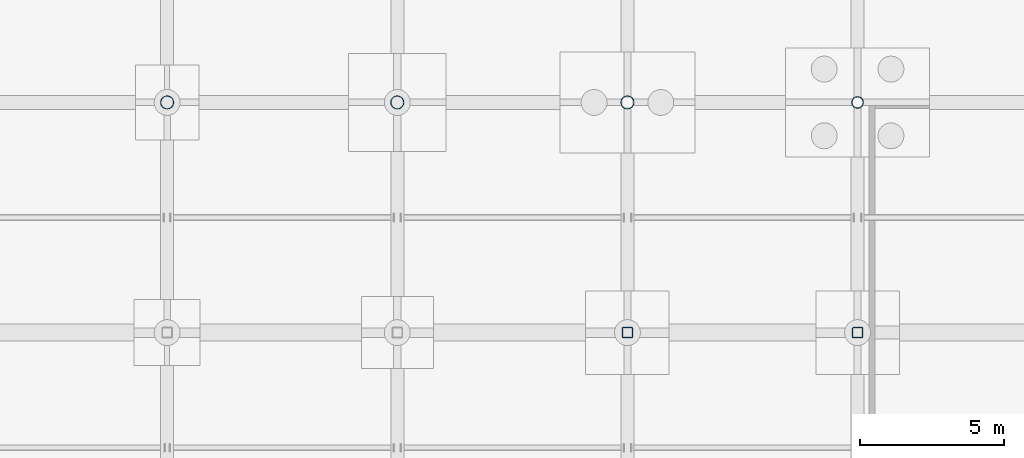
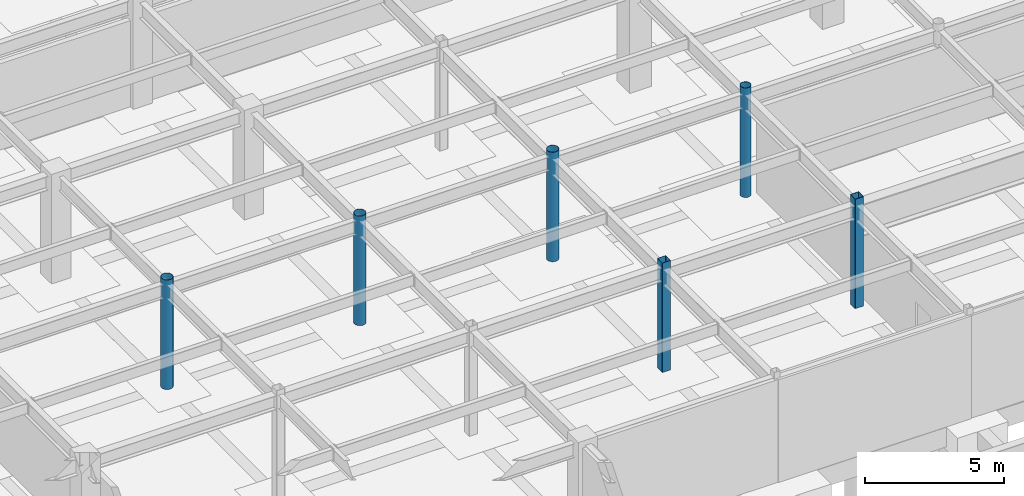
# One storey, part 32 of 105: 6 columns.
"""IFC4 building model written with IfcOpenShell, lengths in metres."""

import ifcopenshell
import ifcopenshell.guid

model = None  # the IFC model being written
_history = None  # IfcOwnerHistory: only IFC2X3 demands one
_inside = {}  # id of a spatial element -> (the spatial element, [elements in it])
_under = {}  # id of a project, library or spatial element -> (it, [spatial elements below it])
_declared = {}  # id of a project -> (the project, [libraries it declares])
_typed = {}  # id of a type object -> (the type object, [elements of that type])
_made_of = {}  # id of a material, layer set ... -> (it, [elements and type objects made of it])


def new_model(schema):
    """Start an empty IFC model of exactly this schema.

    Asked for "IFC4X3", IfcOpenShell would pick the latest addendum, in which some entities
    have other attributes; the version numbers below select the first issue.
    IFC2X3 requires an IfcOwnerHistory on every rooted entity: one is made here for all.
    """
    global model, _history
    if schema == "IFC4X3":
        model = ifcopenshell.file(schema_version=(4, 3, 0, 0))
    else:
        model = ifcopenshell.file(schema=schema)
    _inside.clear()
    _under.clear()
    _declared.clear()
    _typed.clear()
    _made_of.clear()
    _history = None
    if model.schema == "IFC2X3":
        org = make("IfcOrganization", Name="unknown")
        user = make(
            "IfcPersonAndOrganization",
            ThePerson=make("IfcPerson", FamilyName="unknown"),
            TheOrganization=org,
        )
        app = make(
            "IfcApplication",
            ApplicationDeveloper=org,
            Version="unknown",
            ApplicationFullName="unknown",
            ApplicationIdentifier="unknown",
        )
        _history = make(
            "IfcOwnerHistory",
            OwningUser=user,
            OwningApplication=app,
            ChangeAction="ADDED",
            CreationDate=0,
        )
    return model


def make(cls, **values):
    """One entity of the class cls with the attributes given. An attribute that is None is left unset."""
    return model.create_entity(
        cls, **{name: value for name, value in values.items() if value is not None}
    )


def rooted(cls, **values):
    """An entity with a GlobalId (a new one), such as an element, a storey or a relation."""
    return make(cls, GlobalId=ifcopenshell.guid.new(), OwnerHistory=_history, **values)


def si_unit(unit_type, name, prefix=None):
    """IfcSIUnit, for example si_unit("LENGTHUNIT", "METRE", prefix="MILLI")."""
    return make("IfcSIUnit", UnitType=unit_type, Prefix=prefix, Name=name)


def assignment(units):
    """IfcUnitAssignment: the units of a project."""
    return None if units is None else make("IfcUnitAssignment", Units=units)


def point(xyz):
    """IfcCartesianPoint."""
    return None if xyz is None else make("IfcCartesianPoint", Coordinates=xyz)


def direction(xyz):
    """IfcDirection."""
    return None if xyz is None else make("IfcDirection", DirectionRatios=xyz)


def frame(location, z_axis=None, x_axis=None):
    """IfcAxis2Placement3D, a coordinate frame: its origin and axes. An axis left out is left unset."""
    return make(
        "IfcAxis2Placement3D",
        Location=point(location),
        Axis=direction(z_axis),
        RefDirection=direction(x_axis),
    )


def frame_2d(location, x_axis=None):
    """IfcAxis2Placement2D, a coordinate frame in the plane: its origin and x axis."""
    return make(
        "IfcAxis2Placement2D", Location=point(location), RefDirection=direction(x_axis)
    )


def origin():
    """The frame at (0, 0, 0) with its axes left unset."""
    return frame((0.0, 0.0, 0.0))


def origin_2d():
    """The frame at (0, 0) in the plane with its x axis left unset."""
    return frame_2d((0.0, 0.0))


def place(relative_to, where):
    """IfcLocalPlacement: puts the frame where relative to a parent placement (None: the world)."""
    return make(
        "IfcLocalPlacement", PlacementRelTo=relative_to, RelativePlacement=where
    )


def context(
    kind, dimensions, precision=None, world=None, true_north=None, identifier=None
):
    """IfcGeometricRepresentationContext, for example the 3D "Model" context."""
    return make(
        "IfcGeometricRepresentationContext",
        ContextIdentifier=identifier,
        ContextType=kind,
        CoordinateSpaceDimension=dimensions,
        Precision=precision,
        WorldCoordinateSystem=world,
        TrueNorth=true_north,
    )


def subcontext(parent, identifier, kind, view, scale=None):
    """IfcGeometricRepresentationSubContext, for example "Body" below "Model"."""
    return make(
        "IfcGeometricRepresentationSubContext",
        ContextIdentifier=identifier,
        ContextType=kind,
        ParentContext=parent,
        TargetScale=scale,
        TargetView=view,
    )


def project(units=None, contexts=None):
    """IfcProject with its units and contexts."""
    return rooted(
        "IfcProject",
        Name="project",
        RepresentationContexts=contexts,
        UnitsInContext=assignment(units),
    )


def spatial(cls, under=None, at=None, **own):
    """A site, building, storey or space (cls), placed at a placement, below another one or the project."""
    s = rooted(cls, ObjectPlacement=at, **own)
    if under is not None:
        _under.setdefault(under.id(), (under, []))[1].append(s)
    return s


def profile(cls, at=None, kind="AREA", **sizes):
    """A parametric profile (cls). Its sizes go by their IFC names, for example OverallWidth=200.0."""
    return make(cls, ProfileType=kind, Position=at, **sizes)


def hollow_rectangle(**sizes):
    """IfcRectangleHollowProfileDef."""
    return profile("IfcRectangleHollowProfileDef", **sizes)


def hollow_circle(**sizes):
    """IfcCircleHollowProfileDef."""
    return profile("IfcCircleHollowProfileDef", **sizes)


def extrude(swept, where, along, depth):
    """IfcExtrudedAreaSolid: the profile swept, set in the frame where, extruded along a direction by depth."""
    return make(
        "IfcExtrudedAreaSolid",
        SweptArea=swept,
        Position=where,
        ExtrudedDirection=direction(along),
        Depth=depth,
    )


def shape(context_of_items, identifier, shape_type, items):
    """IfcShapeRepresentation: the items that make up one representation, for example the "Body"."""
    return make(
        "IfcShapeRepresentation",
        ContextOfItems=context_of_items,
        RepresentationIdentifier=identifier,
        RepresentationType=shape_type,
        Items=items,
    )


def material(Name=None, Category=None):
    """IfcMaterial."""
    return make("IfcMaterial", Name=Name, Category=Category)


def material_profile(
    of_material, cross_section, Name=None, Category=None, Priority=None
):
    """IfcMaterialProfile: a cross section and its material."""
    return make(
        "IfcMaterialProfile",
        Name=Name,
        Material=of_material,
        Profile=cross_section,
        Priority=Priority,
        Category=Category,
    )


def profile_set(profiles, Name=None, composite=None):
    """IfcMaterialProfileSet."""
    return make(
        "IfcMaterialProfileSet",
        Name=Name,
        MaterialProfiles=profiles,
        CompositeProfile=composite,
    )


def made_of(thing, what):
    """Note that an element or type object is made of a material, layer set ...; save() writes the relation."""
    if what is not None:
        _made_of.setdefault(what.id(), (what, []))[1].append(thing)
    return thing


def type_object(cls, material=None, **own):
    """A type object (cls), such as IfcWallType, which elements share."""
    return made_of(rooted(cls, **own), material)


def element(
    cls,
    number,
    at=None,
    inside=None,
    cuts=None,
    type_object=None,
    material=None,
    context=None,
    identifier="Body",
    shape_type=None,
    held_by="IfcProductDefinitionShape",
    body=None,
    shapes=None,
    **own,
):
    """One element of the class cls, such as IfcWall. Its Tag is "e" and its number.

    at: its placement. inside: the storey or other place that contains it. cuts: it is an
    opening in that element (IfcRelVoidsElement). A single representation is given by context,
    identifier, shape_type and body (its items); several are given by shapes. held_by: the class
    of the entity that holds the representations. save() writes the other relations.
    """
    e = rooted(cls, Tag="e%d" % number, ObjectPlacement=at, **own)
    if body is not None:
        shapes = [shape(context, identifier, shape_type, body)]
    if shapes is not None:
        e.Representation = make(held_by, Representations=shapes)
    if inside is not None:
        _inside.setdefault(inside.id(), (inside, []))[1].append(e)
    if cuts is not None:
        rooted(
            "IfcRelVoidsElement", RelatingBuildingElement=cuts, RelatedOpeningElement=e
        )
    if type_object is not None:
        _typed.setdefault(type_object.id(), (type_object, []))[1].append(e)
    return made_of(e, material)


def aggregate(whole, parts):
    """IfcRelAggregates: a whole, such as a stair, and the parts it consists of."""
    return rooted("IfcRelAggregates", RelatingObject=whole, RelatedObjects=parts)


def save(model, path):
    """Write the relations noted so far, then the file.

    IfcRelAggregates (storeys below a building ...), IfcRelContainedInSpatialStructure (elements
    in a storey), IfcRelDefinesByType, IfcRelAssociatesMaterial and IfcRelDeclares: one each for
    every whole, place, type object, material and project.
    """
    for whole, parts in _under.values():
        aggregate(whole, parts)
    for where, things in _inside.values():
        rooted(
            "IfcRelContainedInSpatialStructure",
            RelatedElements=things,
            RelatingStructure=where,
        )
    for kind, things in _typed.values():
        rooted("IfcRelDefinesByType", RelatedObjects=things, RelatingType=kind)
    for what, things in _made_of.values():
        rooted("IfcRelAssociatesMaterial", RelatedObjects=things, RelatingMaterial=what)
    for by, libraries in _declared.values():
        rooted("IfcRelDeclares", RelatingContext=by, RelatedDefinitions=libraries)
    model.write(path)


model = new_model("IFC4")

# Units and contexts
model_context = context("Model", 3, precision=1e-05, world=origin(), true_north=direction((0.0, 1.0)))
body_context = subcontext(model_context, "Body", "Model", "MODEL_VIEW")
ifc_project = project(units=[si_unit("LENGTHUNIT", "METRE"), si_unit("AREAUNIT", "SQUARE_METRE"), si_unit("VOLUMEUNIT", "CUBIC_METRE"), si_unit("PLANEANGLEUNIT", "RADIAN"), si_unit("MASSUNIT", "GRAM", prefix="KILO")], contexts=[model_context])

# Site, building, storey
site_placement = place(None, origin())
site = spatial("IfcSite", under=ifc_project, at=site_placement, CompositionType="ELEMENT")
building_placement = place(site_placement, origin())
building = spatial("IfcBuilding", under=site, at=building_placement, Name="Solmirada Galleria", CompositionType="ELEMENT")
storey_placement = place(building_placement, frame((0.0, 0.0, -4.800048828125)))
storey = spatial("IfcBuildingStorey", under=building, at=storey_placement, Name="B1", CompositionType="ELEMENT", Elevation=-4.800048828125)

# Columns
ifc_material = material(Name="Steel S355 / ASTM A500 Grade C", Category="steel")
ifc_material_profile_1 = material_profile(ifc_material, hollow_circle(Radius=0.202880859375, WallThickness=0.01171875, at=origin_2d()), Name="HSS16.000X0.500")
ifc_profile_set_1 = profile_set([ifc_material_profile_1], Name="Steel S355 / ASTM A500 Grade C")
column_type_1 = type_object("IfcColumnType", Name="COL-CHS16", PredefinedType="COLUMN", material=ifc_profile_set_1)
column_placement = place(storey_placement, frame((128.0, 88.0, 0.0), z_axis=(0.0, 0.0, 1.0), x_axis=(1.0, 0.0, 0.0)))
element("IfcColumn", 1, at=column_placement, inside=storey, type_object=column_type_1, Name="Structural column B1-1059", PredefinedType="COLUMN", context=body_context, shape_type="SweptSolid", body=[
    extrude(hollow_circle(Radius=0.202880859375, WallThickness=0.01171875, at=origin_2d()), origin(), (0.0, 0.0, 1.0), 4.800048828125),
])
ifc_material_profile_2 = material_profile(ifc_material, hollow_circle(Radius=0.228515625, WallThickness=0.01171875, at=origin_2d()), Name="HSS18.000X0.500")
ifc_profile_set_2 = profile_set([ifc_material_profile_2], Name="Steel S355 / ASTM A500 Grade C")
column_type_2 = type_object("IfcColumnType", Name="COL-CHS18", PredefinedType="COLUMN", material=ifc_profile_set_2)
for number, where, z_axis, x_axis, name in (
    (2, (104.0, 88.0, 0.0), (0.0, 0.0, 1.0), (1.0, 0.0, 0.0), "Structural column B1-0769"),
    (3, (112.0, 88.0, 0.0), (0.0, 0.0, 1.0), (1.0, 0.0, 0.0), "Structural column B1-0885"),
    (4, (120.0, 88.0, 0.0), (0.0, 0.0, 1.0), (1.0, 0.0, 0.0), "Structural column B1-0976"),
):
    element("IfcColumn", number, at=place(storey_placement, frame(where, z_axis=z_axis, x_axis=x_axis)), inside=storey, type_object=column_type_2, Name=name, PredefinedType="COLUMN", context=body_context, shape_type="SweptSolid", body=[
        extrude(hollow_circle(Radius=0.228515625, WallThickness=0.01171875, at=origin_2d()), origin(), (0.0, 0.0, 1.0), 4.800048828125),
    ])
ifc_material_profile_3 = material_profile(ifc_material, hollow_rectangle(XDim=0.35595703125, YDim=0.35595703125, WallThickness=0.01171875, InnerFilletRadius=0.01171875, OuterFilletRadius=0.023681640625, at=origin_2d()), Name="HSS14X14X1/2")
ifc_profile_set_3 = profile_set([ifc_material_profile_3], Name="Steel S355 / ASTM A500 Grade C")
column_type_3 = type_object("IfcColumnType", Name="COL-HSS14", PredefinedType="COLUMN", material=ifc_profile_set_3)
for number, where, z_axis, x_axis, name in (
    (5, (120.0, 80.0, 0.0), (0.0, 0.0, 1.0), (1.0, 0.0, 0.0), "Structural column B1-0971"),
    (6, (128.0, 80.0, 0.0), (0.0, 0.0, 1.0), (1.0, 0.0, 0.0), "Structural column B1-1054"),
):
    element("IfcColumn", number, at=place(storey_placement, frame(where, z_axis=z_axis, x_axis=x_axis)), inside=storey, type_object=column_type_3, Name=name, PredefinedType="COLUMN", context=body_context, shape_type="SweptSolid", body=[
        extrude(hollow_rectangle(XDim=0.35595703125, YDim=0.35595703125, WallThickness=0.01171875, InnerFilletRadius=0.01171875, OuterFilletRadius=0.023681640625, at=origin_2d()), origin(), (0.0, 0.0, 1.0), 4.800048828125),
    ])

save(model, "model.ifc")
